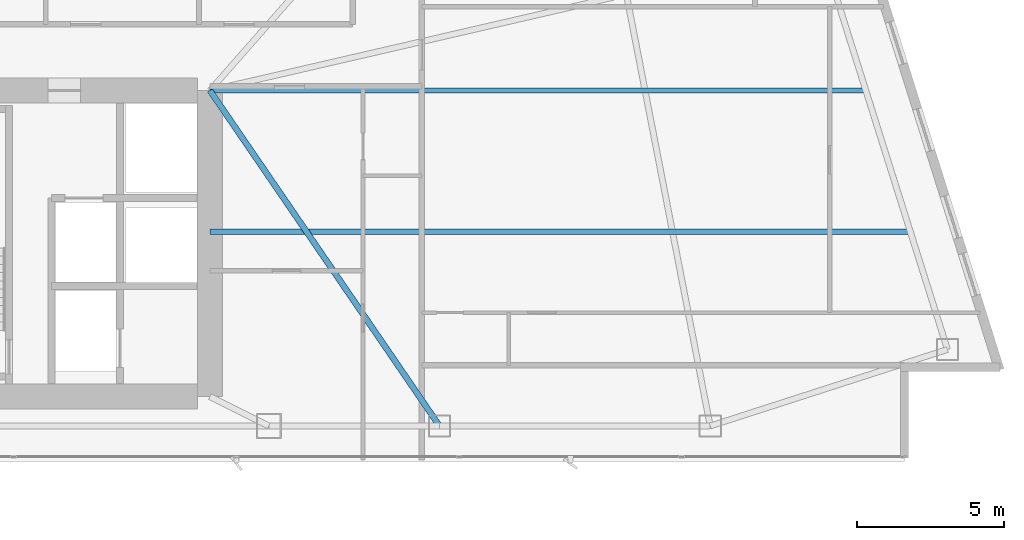
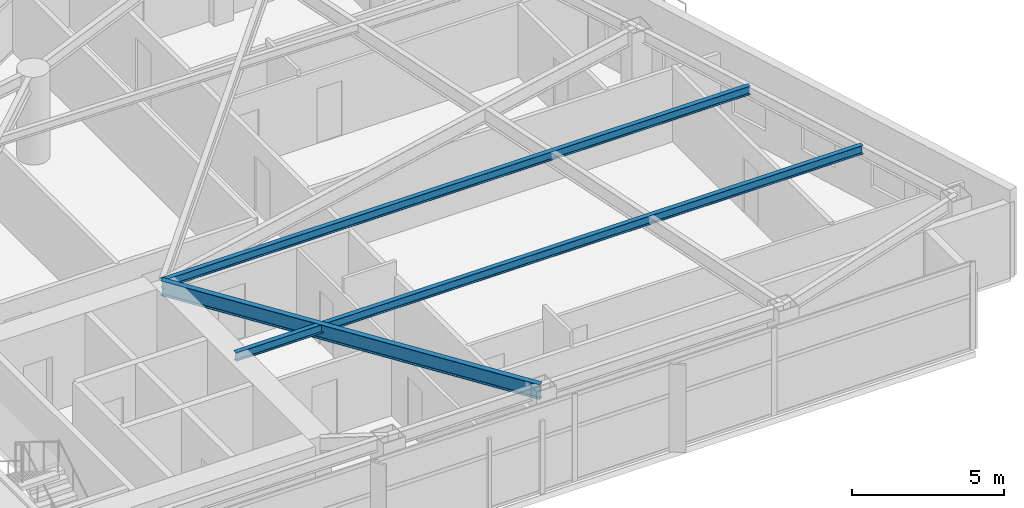
# One storey, part 13 of 28: 3 beams.
"""IFC4 building model written with IfcOpenShell, lengths in metres."""

import ifcopenshell
import ifcopenshell.guid

model = None  # the IFC model being written
_history = None  # IfcOwnerHistory: only IFC2X3 demands one
_inside = {}  # id of a spatial element -> (the spatial element, [elements in it])
_under = {}  # id of a project, library or spatial element -> (it, [spatial elements below it])
_declared = {}  # id of a project -> (the project, [libraries it declares])
_typed = {}  # id of a type object -> (the type object, [elements of that type])
_made_of = {}  # id of a material, layer set ... -> (it, [elements and type objects made of it])


def new_model(schema):
    """Start an empty IFC model of exactly this schema.

    Asked for "IFC4X3", IfcOpenShell would pick the latest addendum, in which some entities
    have other attributes; the version numbers below select the first issue.
    IFC2X3 requires an IfcOwnerHistory on every rooted entity: one is made here for all.
    """
    global model, _history
    if schema == "IFC4X3":
        model = ifcopenshell.file(schema_version=(4, 3, 0, 0))
    else:
        model = ifcopenshell.file(schema=schema)
    _inside.clear()
    _under.clear()
    _declared.clear()
    _typed.clear()
    _made_of.clear()
    _history = None
    if model.schema == "IFC2X3":
        org = make("IfcOrganization", Name="unknown")
        user = make(
            "IfcPersonAndOrganization",
            ThePerson=make("IfcPerson", FamilyName="unknown"),
            TheOrganization=org,
        )
        app = make(
            "IfcApplication",
            ApplicationDeveloper=org,
            Version="unknown",
            ApplicationFullName="unknown",
            ApplicationIdentifier="unknown",
        )
        _history = make(
            "IfcOwnerHistory",
            OwningUser=user,
            OwningApplication=app,
            ChangeAction="ADDED",
            CreationDate=0,
        )
    return model


def make(cls, **values):
    """One entity of the class cls with the attributes given. An attribute that is None is left unset."""
    return model.create_entity(
        cls, **{name: value for name, value in values.items() if value is not None}
    )


def rooted(cls, **values):
    """An entity with a GlobalId (a new one), such as an element, a storey or a relation."""
    return make(cls, GlobalId=ifcopenshell.guid.new(), OwnerHistory=_history, **values)


def si_unit(unit_type, name, prefix=None):
    """IfcSIUnit, for example si_unit("LENGTHUNIT", "METRE", prefix="MILLI")."""
    return make("IfcSIUnit", UnitType=unit_type, Prefix=prefix, Name=name)


def assignment(units):
    """IfcUnitAssignment: the units of a project."""
    return None if units is None else make("IfcUnitAssignment", Units=units)


def point(xyz):
    """IfcCartesianPoint."""
    return None if xyz is None else make("IfcCartesianPoint", Coordinates=xyz)


def direction(xyz):
    """IfcDirection."""
    return None if xyz is None else make("IfcDirection", DirectionRatios=xyz)


def frame(location, z_axis=None, x_axis=None):
    """IfcAxis2Placement3D, a coordinate frame: its origin and axes. An axis left out is left unset."""
    return make(
        "IfcAxis2Placement3D",
        Location=point(location),
        Axis=direction(z_axis),
        RefDirection=direction(x_axis),
    )


def frame_2d(location, x_axis=None):
    """IfcAxis2Placement2D, a coordinate frame in the plane: its origin and x axis."""
    return make(
        "IfcAxis2Placement2D", Location=point(location), RefDirection=direction(x_axis)
    )


def origin():
    """The frame at (0, 0, 0) with its axes left unset."""
    return frame((0.0, 0.0, 0.0))


def origin_2d():
    """The frame at (0, 0) in the plane with its x axis left unset."""
    return frame_2d((0.0, 0.0))


def place(relative_to, where):
    """IfcLocalPlacement: puts the frame where relative to a parent placement (None: the world)."""
    return make(
        "IfcLocalPlacement", PlacementRelTo=relative_to, RelativePlacement=where
    )


def context(
    kind, dimensions, precision=None, world=None, true_north=None, identifier=None
):
    """IfcGeometricRepresentationContext, for example the 3D "Model" context."""
    return make(
        "IfcGeometricRepresentationContext",
        ContextIdentifier=identifier,
        ContextType=kind,
        CoordinateSpaceDimension=dimensions,
        Precision=precision,
        WorldCoordinateSystem=world,
        TrueNorth=true_north,
    )


def subcontext(parent, identifier, kind, view, scale=None):
    """IfcGeometricRepresentationSubContext, for example "Body" below "Model"."""
    return make(
        "IfcGeometricRepresentationSubContext",
        ContextIdentifier=identifier,
        ContextType=kind,
        ParentContext=parent,
        TargetScale=scale,
        TargetView=view,
    )


def project(units=None, contexts=None):
    """IfcProject with its units and contexts."""
    return rooted(
        "IfcProject",
        Name="project",
        RepresentationContexts=contexts,
        UnitsInContext=assignment(units),
    )


def spatial(cls, under=None, at=None, **own):
    """A site, building, storey or space (cls), placed at a placement, below another one or the project."""
    s = rooted(cls, ObjectPlacement=at, **own)
    if under is not None:
        _under.setdefault(under.id(), (under, []))[1].append(s)
    return s


def profile(cls, at=None, kind="AREA", **sizes):
    """A parametric profile (cls). Its sizes go by their IFC names, for example OverallWidth=200.0."""
    return make(cls, ProfileType=kind, Position=at, **sizes)


def i_section(**sizes):
    """IfcIShapeProfileDef."""
    return profile("IfcIShapeProfileDef", **sizes)


def extrude(swept, where, along, depth):
    """IfcExtrudedAreaSolid: the profile swept, set in the frame where, extruded along a direction by depth."""
    return make(
        "IfcExtrudedAreaSolid",
        SweptArea=swept,
        Position=where,
        ExtrudedDirection=direction(along),
        Depth=depth,
    )


def shape(context_of_items, identifier, shape_type, items):
    """IfcShapeRepresentation: the items that make up one representation, for example the "Body"."""
    return make(
        "IfcShapeRepresentation",
        ContextOfItems=context_of_items,
        RepresentationIdentifier=identifier,
        RepresentationType=shape_type,
        Items=items,
    )


def material(Name=None, Category=None):
    """IfcMaterial."""
    return make("IfcMaterial", Name=Name, Category=Category)


def material_profile(
    of_material, cross_section, Name=None, Category=None, Priority=None
):
    """IfcMaterialProfile: a cross section and its material."""
    return make(
        "IfcMaterialProfile",
        Name=Name,
        Material=of_material,
        Profile=cross_section,
        Priority=Priority,
        Category=Category,
    )


def profile_set(profiles, Name=None, composite=None):
    """IfcMaterialProfileSet."""
    return make(
        "IfcMaterialProfileSet",
        Name=Name,
        MaterialProfiles=profiles,
        CompositeProfile=composite,
    )


def made_of(thing, what):
    """Note that an element or type object is made of a material, layer set ...; save() writes the relation."""
    if what is not None:
        _made_of.setdefault(what.id(), (what, []))[1].append(thing)
    return thing


def type_object(cls, material=None, **own):
    """A type object (cls), such as IfcWallType, which elements share."""
    return made_of(rooted(cls, **own), material)


def element(
    cls,
    number,
    at=None,
    inside=None,
    cuts=None,
    type_object=None,
    material=None,
    context=None,
    identifier="Body",
    shape_type=None,
    held_by="IfcProductDefinitionShape",
    body=None,
    shapes=None,
    **own,
):
    """One element of the class cls, such as IfcWall. Its Tag is "e" and its number.

    at: its placement. inside: the storey or other place that contains it. cuts: it is an
    opening in that element (IfcRelVoidsElement). A single representation is given by context,
    identifier, shape_type and body (its items); several are given by shapes. held_by: the class
    of the entity that holds the representations. save() writes the other relations.
    """
    e = rooted(cls, Tag="e%d" % number, ObjectPlacement=at, **own)
    if body is not None:
        shapes = [shape(context, identifier, shape_type, body)]
    if shapes is not None:
        e.Representation = make(held_by, Representations=shapes)
    if inside is not None:
        _inside.setdefault(inside.id(), (inside, []))[1].append(e)
    if cuts is not None:
        rooted(
            "IfcRelVoidsElement", RelatingBuildingElement=cuts, RelatedOpeningElement=e
        )
    if type_object is not None:
        _typed.setdefault(type_object.id(), (type_object, []))[1].append(e)
    return made_of(e, material)


def aggregate(whole, parts):
    """IfcRelAggregates: a whole, such as a stair, and the parts it consists of."""
    return rooted("IfcRelAggregates", RelatingObject=whole, RelatedObjects=parts)


def save(model, path):
    """Write the relations noted so far, then the file.

    IfcRelAggregates (storeys below a building ...), IfcRelContainedInSpatialStructure (elements
    in a storey), IfcRelDefinesByType, IfcRelAssociatesMaterial and IfcRelDeclares: one each for
    every whole, place, type object, material and project.
    """
    for whole, parts in _under.values():
        aggregate(whole, parts)
    for where, things in _inside.values():
        rooted(
            "IfcRelContainedInSpatialStructure",
            RelatedElements=things,
            RelatingStructure=where,
        )
    for kind, things in _typed.values():
        rooted("IfcRelDefinesByType", RelatedObjects=things, RelatingType=kind)
    for what, things in _made_of.values():
        rooted("IfcRelAssociatesMaterial", RelatedObjects=things, RelatingMaterial=what)
    for by, libraries in _declared.values():
        rooted("IfcRelDeclares", RelatingContext=by, RelatedDefinitions=libraries)
    model.write(path)


model = new_model("IFC4")

# Units and contexts
model_context = context("Model", 3, precision=1e-05, world=origin(), true_north=direction((0.0, 1.0)))
body_context = subcontext(model_context, "Body", "Model", "MODEL_VIEW")
ifc_project = project(units=[si_unit("LENGTHUNIT", "METRE"), si_unit("AREAUNIT", "SQUARE_METRE"), si_unit("VOLUMEUNIT", "CUBIC_METRE"), si_unit("PLANEANGLEUNIT", "RADIAN"), si_unit("MASSUNIT", "GRAM", prefix="KILO")], contexts=[model_context])

# Site, building, storey
site_placement = place(None, origin())
site = spatial("IfcSite", under=ifc_project, at=site_placement, CompositionType="ELEMENT")
building_placement = place(site_placement, origin())
building = spatial("IfcBuilding", under=site, at=building_placement, Name="Calvorn Quay Hotel", CompositionType="ELEMENT")
storey_placement = place(building_placement, frame((0.0, 0.0, 182.699951171875)))
storey = spatial("IfcBuildingStorey", under=building, at=storey_placement, Name="L45", CompositionType="ELEMENT", Elevation=182.699951171875)

# Beams
ifc_material_1 = material(Name="Steel Q355B", Category="steel")
ifc_material_profile_1 = material_profile(ifc_material_1, i_section(OverallWidth=0.199951171875, OverallDepth=0.60009765625, WebThickness=0.010986328125, FlangeThickness=0.01708984375, FilletRadius=0.01806640625, at=origin_2d()), Name="HN600x200x11x17")
ifc_profile_set_1 = profile_set([ifc_material_profile_1], Name="Steel Q355B")
beam_type_1 = type_object("IfcBeamType", Name="BM-GIRD-TYP", PredefinedType="BEAM", material=ifc_profile_set_1)
beam_1_placement = place(storey_placement, frame((40.199951171875, 3.60009765625, 3.219970703125), z_axis=(-0.564689618177, 0.825303359452, 0.0), x_axis=(-0.825303359452, -0.564689618177, 0.0)))
element("IfcBeam", 1, at=beam_1_placement, inside=storey, type_object=beam_type_1, Name="Beam BG-L45-E6", PredefinedType="BEAM", context=body_context, shape_type="SweptSolid", body=[
    extrude(i_section(OverallWidth=0.199951171875, OverallDepth=0.60009765625, WebThickness=0.010986328125, FlangeThickness=0.01708984375, FilletRadius=0.01806640625, at=origin_2d()), origin(), (0.0, 0.0, 1.0), 13.81298828125),
])
ifc_material_2 = material(Name="Steel Q355B", Category="steel")
ifc_material_profile_2 = material_profile(ifc_material_2, i_section(OverallWidth=0.175048828125, OverallDepth=0.35009765625, WebThickness=0.007080078125, FlangeThickness=0.010986328125, FilletRadius=0.013916015625, at=origin_2d()), Name="HN350x175x7x11")
ifc_profile_set_2 = profile_set([ifc_material_profile_2], Name="Steel Q355B")
beam_type_2 = type_object("IfcBeamType", Name="BM-JOIST-SEC", PredefinedType="JOIST", material=ifc_profile_set_2)
beam_2_placement = place(storey_placement, frame((32.39990234375, 10.199951171875, 3.344970703125), z_axis=(1.0, 0.0, 0.0), x_axis=(0.0, 1.0, 0.0)))
element("IfcBeam", 2, at=beam_2_placement, inside=storey, type_object=beam_type_2, Name="Beam BJ-L45-E1", PredefinedType="JOIST", context=body_context, shape_type="SweptSolid", body=[
    extrude(i_section(OverallWidth=0.175048828125, OverallDepth=0.35009765625, WebThickness=0.007080078125, FlangeThickness=0.010986328125, FilletRadius=0.013916015625, at=origin_2d()), origin(), (0.0, 0.0, 1.0), 23.801025390625),
])
beam_3_placement = place(storey_placement, frame((32.39990234375, 15.0, 3.344970703125), z_axis=(1.0, 0.0, 0.0), x_axis=(0.0, 1.0, 0.0)))
element("IfcBeam", 3, at=beam_3_placement, inside=storey, type_object=beam_type_2, Name="Beam BJ-L45-E2", PredefinedType="JOIST", context=body_context, shape_type="SweptSolid", body=[
    extrude(i_section(OverallWidth=0.175048828125, OverallDepth=0.35009765625, WebThickness=0.007080078125, FlangeThickness=0.010986328125, FilletRadius=0.013916015625, at=origin_2d()), origin(), (0.0, 0.0, 1.0), 22.2880859375),
])

save(model, "model.ifc")
